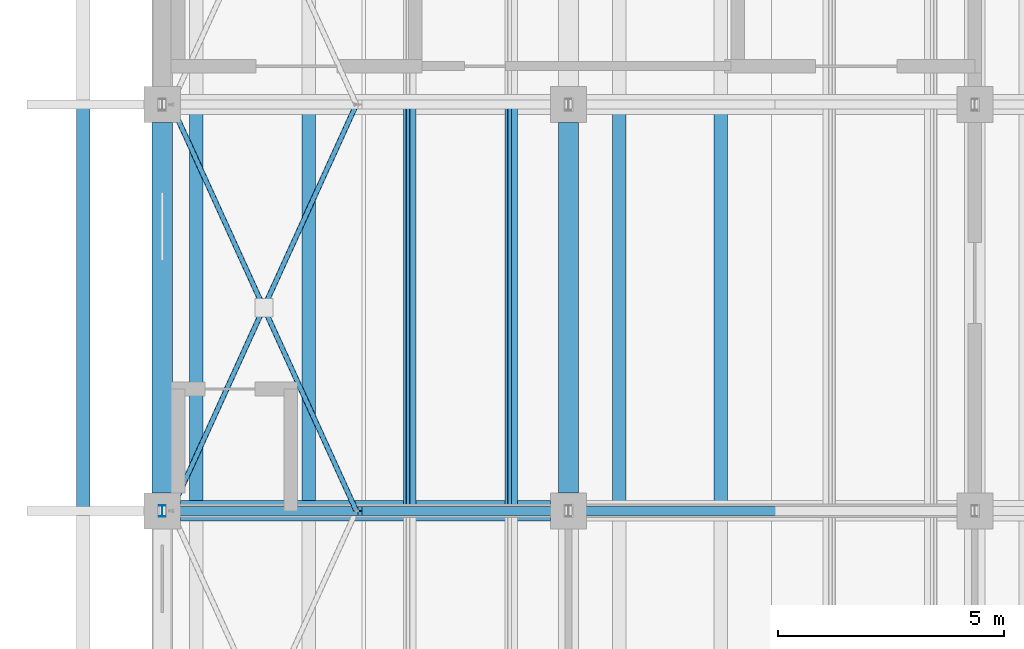
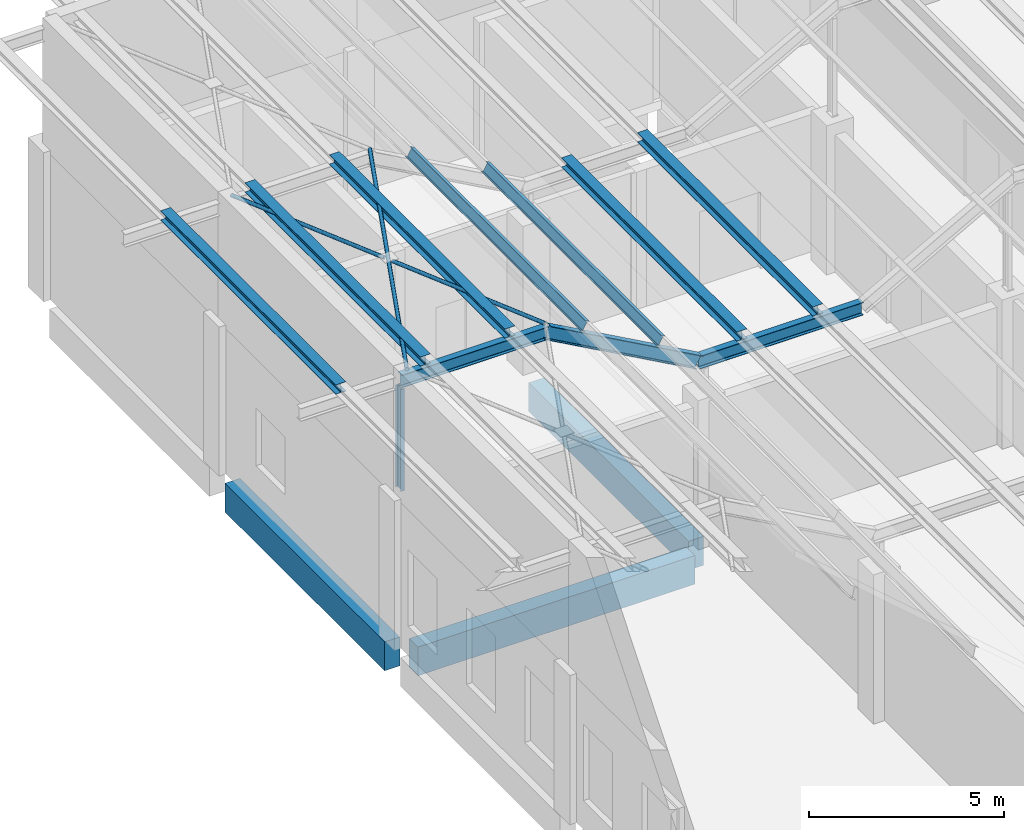
# One storey, part 55 of 437: 14 members, 3 beams.
"""IFC4 building model written with IfcOpenShell, lengths in metres."""

import ifcopenshell
import ifcopenshell.guid

model = None  # the IFC model being written
_history = None  # IfcOwnerHistory: only IFC2X3 demands one
_inside = {}  # id of a spatial element -> (the spatial element, [elements in it])
_under = {}  # id of a project, library or spatial element -> (it, [spatial elements below it])
_declared = {}  # id of a project -> (the project, [libraries it declares])
_typed = {}  # id of a type object -> (the type object, [elements of that type])
_made_of = {}  # id of a material, layer set ... -> (it, [elements and type objects made of it])


def new_model(schema):
    """Start an empty IFC model of exactly this schema.

    Asked for "IFC4X3", IfcOpenShell would pick the latest addendum, in which some entities
    have other attributes; the version numbers below select the first issue.
    IFC2X3 requires an IfcOwnerHistory on every rooted entity: one is made here for all.
    """
    global model, _history
    if schema == "IFC4X3":
        model = ifcopenshell.file(schema_version=(4, 3, 0, 0))
    else:
        model = ifcopenshell.file(schema=schema)
    _inside.clear()
    _under.clear()
    _declared.clear()
    _typed.clear()
    _made_of.clear()
    _history = None
    if model.schema == "IFC2X3":
        org = make("IfcOrganization", Name="unknown")
        user = make(
            "IfcPersonAndOrganization",
            ThePerson=make("IfcPerson", FamilyName="unknown"),
            TheOrganization=org,
        )
        app = make(
            "IfcApplication",
            ApplicationDeveloper=org,
            Version="unknown",
            ApplicationFullName="unknown",
            ApplicationIdentifier="unknown",
        )
        _history = make(
            "IfcOwnerHistory",
            OwningUser=user,
            OwningApplication=app,
            ChangeAction="ADDED",
            CreationDate=0,
        )
    return model


def make(cls, **values):
    """One entity of the class cls with the attributes given. An attribute that is None is left unset."""
    return model.create_entity(
        cls, **{name: value for name, value in values.items() if value is not None}
    )


def rooted(cls, **values):
    """An entity with a GlobalId (a new one), such as an element, a storey or a relation."""
    return make(cls, GlobalId=ifcopenshell.guid.new(), OwnerHistory=_history, **values)


def si_unit(unit_type, name, prefix=None):
    """IfcSIUnit, for example si_unit("LENGTHUNIT", "METRE", prefix="MILLI")."""
    return make("IfcSIUnit", UnitType=unit_type, Prefix=prefix, Name=name)


def assignment(units):
    """IfcUnitAssignment: the units of a project."""
    return None if units is None else make("IfcUnitAssignment", Units=units)


def point(xyz):
    """IfcCartesianPoint."""
    return None if xyz is None else make("IfcCartesianPoint", Coordinates=xyz)


def direction(xyz):
    """IfcDirection."""
    return None if xyz is None else make("IfcDirection", DirectionRatios=xyz)


def frame(location, z_axis=None, x_axis=None):
    """IfcAxis2Placement3D, a coordinate frame: its origin and axes. An axis left out is left unset."""
    return make(
        "IfcAxis2Placement3D",
        Location=point(location),
        Axis=direction(z_axis),
        RefDirection=direction(x_axis),
    )


def frame_2d(location, x_axis=None):
    """IfcAxis2Placement2D, a coordinate frame in the plane: its origin and x axis."""
    return make(
        "IfcAxis2Placement2D", Location=point(location), RefDirection=direction(x_axis)
    )


def origin():
    """The frame at (0, 0, 0) with its axes left unset."""
    return frame((0.0, 0.0, 0.0))


def origin_2d():
    """The frame at (0, 0) in the plane with its x axis left unset."""
    return frame_2d((0.0, 0.0))


def place(relative_to, where):
    """IfcLocalPlacement: puts the frame where relative to a parent placement (None: the world)."""
    return make(
        "IfcLocalPlacement", PlacementRelTo=relative_to, RelativePlacement=where
    )


def context(
    kind, dimensions, precision=None, world=None, true_north=None, identifier=None
):
    """IfcGeometricRepresentationContext, for example the 3D "Model" context."""
    return make(
        "IfcGeometricRepresentationContext",
        ContextIdentifier=identifier,
        ContextType=kind,
        CoordinateSpaceDimension=dimensions,
        Precision=precision,
        WorldCoordinateSystem=world,
        TrueNorth=true_north,
    )


def subcontext(parent, identifier, kind, view, scale=None):
    """IfcGeometricRepresentationSubContext, for example "Body" below "Model"."""
    return make(
        "IfcGeometricRepresentationSubContext",
        ContextIdentifier=identifier,
        ContextType=kind,
        ParentContext=parent,
        TargetScale=scale,
        TargetView=view,
    )


def project(units=None, contexts=None):
    """IfcProject with its units and contexts."""
    return rooted(
        "IfcProject",
        Name="project",
        RepresentationContexts=contexts,
        UnitsInContext=assignment(units),
    )


def spatial(cls, under=None, at=None, **own):
    """A site, building, storey or space (cls), placed at a placement, below another one or the project."""
    s = rooted(cls, ObjectPlacement=at, **own)
    if under is not None:
        _under.setdefault(under.id(), (under, []))[1].append(s)
    return s


def profile(cls, at=None, kind="AREA", **sizes):
    """A parametric profile (cls). Its sizes go by their IFC names, for example OverallWidth=200.0."""
    return make(cls, ProfileType=kind, Position=at, **sizes)


def rectangle(**sizes):
    """IfcRectangleProfileDef."""
    return profile("IfcRectangleProfileDef", **sizes)


def hollow_circle(**sizes):
    """IfcCircleHollowProfileDef."""
    return profile("IfcCircleHollowProfileDef", **sizes)


def i_section(**sizes):
    """IfcIShapeProfileDef."""
    return profile("IfcIShapeProfileDef", **sizes)


def extrude(swept, where, along, depth):
    """IfcExtrudedAreaSolid: the profile swept, set in the frame where, extruded along a direction by depth."""
    return make(
        "IfcExtrudedAreaSolid",
        SweptArea=swept,
        Position=where,
        ExtrudedDirection=direction(along),
        Depth=depth,
    )


def shape(context_of_items, identifier, shape_type, items):
    """IfcShapeRepresentation: the items that make up one representation, for example the "Body"."""
    return make(
        "IfcShapeRepresentation",
        ContextOfItems=context_of_items,
        RepresentationIdentifier=identifier,
        RepresentationType=shape_type,
        Items=items,
    )


def material(Name=None, Category=None):
    """IfcMaterial."""
    return make("IfcMaterial", Name=Name, Category=Category)


def material_profile(
    of_material, cross_section, Name=None, Category=None, Priority=None
):
    """IfcMaterialProfile: a cross section and its material."""
    return make(
        "IfcMaterialProfile",
        Name=Name,
        Material=of_material,
        Profile=cross_section,
        Priority=Priority,
        Category=Category,
    )


def profile_set(profiles, Name=None, composite=None):
    """IfcMaterialProfileSet."""
    return make(
        "IfcMaterialProfileSet",
        Name=Name,
        MaterialProfiles=profiles,
        CompositeProfile=composite,
    )


def made_of(thing, what):
    """Note that an element or type object is made of a material, layer set ...; save() writes the relation."""
    if what is not None:
        _made_of.setdefault(what.id(), (what, []))[1].append(thing)
    return thing


def type_object(cls, material=None, **own):
    """A type object (cls), such as IfcWallType, which elements share."""
    return made_of(rooted(cls, **own), material)


def element(
    cls,
    number,
    at=None,
    inside=None,
    cuts=None,
    type_object=None,
    material=None,
    context=None,
    identifier="Body",
    shape_type=None,
    held_by="IfcProductDefinitionShape",
    body=None,
    shapes=None,
    **own,
):
    """One element of the class cls, such as IfcWall. Its Tag is "e" and its number.

    at: its placement. inside: the storey or other place that contains it. cuts: it is an
    opening in that element (IfcRelVoidsElement). A single representation is given by context,
    identifier, shape_type and body (its items); several are given by shapes. held_by: the class
    of the entity that holds the representations. save() writes the other relations.
    """
    e = rooted(cls, Tag="e%d" % number, ObjectPlacement=at, **own)
    if body is not None:
        shapes = [shape(context, identifier, shape_type, body)]
    if shapes is not None:
        e.Representation = make(held_by, Representations=shapes)
    if inside is not None:
        _inside.setdefault(inside.id(), (inside, []))[1].append(e)
    if cuts is not None:
        rooted(
            "IfcRelVoidsElement", RelatingBuildingElement=cuts, RelatedOpeningElement=e
        )
    if type_object is not None:
        _typed.setdefault(type_object.id(), (type_object, []))[1].append(e)
    return made_of(e, material)


def aggregate(whole, parts):
    """IfcRelAggregates: a whole, such as a stair, and the parts it consists of."""
    return rooted("IfcRelAggregates", RelatingObject=whole, RelatedObjects=parts)


def save(model, path):
    """Write the relations noted so far, then the file.

    IfcRelAggregates (storeys below a building ...), IfcRelContainedInSpatialStructure (elements
    in a storey), IfcRelDefinesByType, IfcRelAssociatesMaterial and IfcRelDeclares: one each for
    every whole, place, type object, material and project.
    """
    for whole, parts in _under.values():
        aggregate(whole, parts)
    for where, things in _inside.values():
        rooted(
            "IfcRelContainedInSpatialStructure",
            RelatedElements=things,
            RelatingStructure=where,
        )
    for kind, things in _typed.values():
        rooted("IfcRelDefinesByType", RelatedObjects=things, RelatingType=kind)
    for what, things in _made_of.values():
        rooted("IfcRelAssociatesMaterial", RelatedObjects=things, RelatingMaterial=what)
    for by, libraries in _declared.values():
        rooted("IfcRelDeclares", RelatingContext=by, RelatedDefinitions=libraries)
    model.write(path)


model = new_model("IFC4")

# Units and contexts
model_context = context("Model", 3, precision=1e-05, world=origin(), true_north=direction((0.0, 1.0)))
body_context = subcontext(model_context, "Body", "Model", "MODEL_VIEW")
ifc_project = project(units=[si_unit("LENGTHUNIT", "METRE"), si_unit("AREAUNIT", "SQUARE_METRE"), si_unit("VOLUMEUNIT", "CUBIC_METRE"), si_unit("PLANEANGLEUNIT", "RADIAN"), si_unit("MASSUNIT", "GRAM", prefix="KILO")], contexts=[model_context])

# Site, building, storey
site_placement = place(None, origin())
site = spatial("IfcSite", under=ifc_project, at=site_placement, CompositionType="ELEMENT")
building_placement = place(site_placement, origin())
building = spatial("IfcBuilding", under=site, at=building_placement, Name="Opaline Strait Convention Centre", CompositionType="ELEMENT")
storey_placement = place(building_placement, frame((0.0, 0.0, 11.5)))
storey = spatial("IfcBuildingStorey", under=building, at=storey_placement, Name="L02", CompositionType="ELEMENT", Elevation=11.5)

# Members
ifc_material_1 = material(Name="Steel Q355B", Category="steel")
ifc_material_profile_1 = material_profile(ifc_material_1, i_section(OverallWidth=0.300048828125, OverallDepth=0.300048828125, WebThickness=0.010009765625, FlangeThickness=0.014892578125, FilletRadius=0.012939453125, at=origin_2d()), Name="HW 300x300x10x15")
ifc_profile_set_1 = profile_set([ifc_material_profile_1], Name="Steel Q355B")
member_type_1 = type_object("IfcMemberType", Name="Crest purlin HW 300x300x10x15", PredefinedType="PURLIN", material=ifc_profile_set_1)
for number, where, z_axis, x_axis, name in (
    (1, (7.25, 81.0, 8.449951171875), (0.0, 1.0, 0.0), (-1.0, 0.0, 0.0), "RU1 purlin facet 1 line 1"),
    (2, (9.75, 81.0, 8.449951171875), (0.0, 1.0, 0.0), (-1.0, 0.0, 0.0), "RU1 purlin facet 1 line 2"),
    (3, (12.25, 81.0, 8.449951171875), (0.0, 1.0, 0.0), (-1.0, 0.0, 0.0), "RU1 purlin facet 1 line 3"),
    (4, (19.125, 81.0, 5.949951171875), (0.0, 1.0, 0.0), (-1.0, 0.0, 0.0), "RU1 purlin facet 3 line 1"),
    (5, (21.375, 81.0, 5.949951171875), (0.0, 1.0, 0.0), (-1.0, 0.0, 0.0), "RU1 purlin facet 3 line 2"),
):
    element("IfcMember", number, at=place(storey_placement, frame(where, z_axis=z_axis, x_axis=x_axis)), inside=storey, type_object=member_type_1, Name=name, PredefinedType="PURLIN", context=body_context, shape_type="SweptSolid", body=[
        extrude(i_section(OverallWidth=0.300048828125, OverallDepth=0.300048828125, WebThickness=0.010009765625, FlangeThickness=0.014892578125, FilletRadius=0.012939453125, at=origin_2d()), origin(), (0.0, 0.0, 1.0), 9.0),
    ])

# Beams
ifc_material_2 = material(Name="Concrete C35", Category="concrete")
ifc_material_profile_2 = material_profile(ifc_material_2, rectangle(XDim=0.449951171875, YDim=0.89990234375, at=origin_2d()), Name="RC 450x900")
ifc_profile_set_2 = profile_set([ifc_material_profile_2], Name="Concrete C35")
beam_type = type_object("IfcBeamType", Name="RC beam 450x900 C35", PredefinedType="BEAM", material=ifc_profile_set_2)
for number, where, z_axis, x_axis, name in (
    (6, (9.39990234375, 81.0, -0.72998046875), (1.0, 0.0, 0.0), (0.0, 1.0, 0.0), "XB1 L02 9/81-18/81"),
    (7, (9.0, 81.39990234375, -0.72998046875), (0.0, 1.0, 0.0), (-1.0, 0.0, 0.0), "XB1 L02 9/81-9/90"),
    (8, (18.0, 81.39990234375, -0.72998046875), (0.0, 1.0, 0.0), (-1.0, 0.0, 0.0), "XB1 L02 18/81-18/90"),
):
    element("IfcBeam", number, at=place(storey_placement, frame(where, z_axis=z_axis, x_axis=x_axis)), inside=storey, type_object=beam_type, Name=name, PredefinedType="BEAM", context=body_context, shape_type="SweptSolid", body=[
        extrude(rectangle(XDim=0.449951171875, YDim=0.89990234375, at=origin_2d()), origin(), (0.0, 0.0, 1.0), 8.2001953125),
    ])

# Members
ifc_material_profile_3 = material_profile(ifc_material_1, hollow_circle(Radius=0.056884765625, WallThickness=0.006103515625, at=origin_2d()), Name="CHS 114x6")
ifc_profile_set_3 = profile_set([ifc_material_profile_3], Name="Steel Q355B")
member_type_2 = type_object("IfcMemberType", Name="Roof bracing CHS 114x6", PredefinedType="BRACE", material=ifc_profile_set_3)
member_1_placement = place(storey_placement, frame((9.199951171875, 81.0, 8.35693359375), z_axis=(0.414572789354, 0.910016154981, 0.0), x_axis=(-0.910016154981, 0.414572789354, 0.0)))
element("IfcMember", 9, at=member_1_placement, inside=storey, type_object=member_type_2, Name="RX1 roof brace bay 9 at 9", PredefinedType="BRACE", context=body_context, shape_type="SweptSolid", body=[
    extrude(hollow_circle(Radius=0.056884765625, WallThickness=0.006103515625, at=origin_2d()), origin(), (0.0, 0.0, 1.0), 9.889892578125),
])
for number, where, z_axis, x_axis, name in (
    (10, (13.300048828125, 81.0, 8.35693359375), (-0.414570207506, 0.91001733118, 0.0), (-0.91001733118, -0.414570207506, 0.0), "RX1 roof brace bay 9 at 9"),
    (11, (11.197265625, 85.61572265625, 8.35693359375), (-0.414570207506, 0.91001733118, 0.0), (-0.91001733118, -0.414570207506, 0.0), "RX1 roof brace bay 9 at 9"),
):
    element("IfcMember", number, at=place(storey_placement, frame(where, z_axis=z_axis, x_axis=x_axis)), inside=storey, type_object=member_type_2, Name=name, PredefinedType="BRACE", context=body_context, shape_type="SweptSolid", body=[
        extrude(hollow_circle(Radius=0.056884765625, WallThickness=0.006103515625, at=origin_2d()), origin(), (0.0, 0.0, 1.0), 4.81787109375),
    ])
ifc_material_profile_4 = material_profile(ifc_material_1, i_section(OverallWidth=0.125, OverallDepth=0.25, WebThickness=0.006103515625, FlangeThickness=0.009033203125, FilletRadius=0.008056640625, at=origin_2d()), Name="HN 250x125x6x9")
ifc_profile_set_4 = profile_set([ifc_material_profile_4], Name="Steel Q355B")
member_type_3 = type_object("IfcMemberType", Name="Roof post HN 250x125x6x9", PredefinedType="STRUT", material=ifc_profile_set_4)
member_2_placement = place(storey_placement, frame((9.0, 81.0, 4.68994140625), z_axis=(0.0, 0.0, 1.0), x_axis=(1.0, 0.0, 0.0)))
element("IfcMember", 12, at=member_2_placement, inside=storey, type_object=member_type_3, Name="RP1 roof post at 9/81", PredefinedType="STRUT", context=body_context, shape_type="SweptSolid", body=[
    extrude(i_section(OverallWidth=0.125, OverallDepth=0.25, WebThickness=0.006103515625, FlangeThickness=0.009033203125, FilletRadius=0.008056640625, at=origin_2d()), origin(), (0.0, 0.0, 1.0), 3.195068359375),
])
ifc_material_profile_5 = material_profile(ifc_material_1, i_section(OverallWidth=0.14990234375, OverallDepth=0.300048828125, WebThickness=0.006591796875, FlangeThickness=0.009033203125, FilletRadius=0.012939453125, at=origin_2d()), Name="HN 300x150x6.5x9")
ifc_profile_set_5 = profile_set([ifc_material_profile_5], Name="Steel Q355B")
member_type_4 = type_object("IfcMemberType", Name="Roof purlin HN 300x150x6.5x9", PredefinedType="PURLIN", material=ifc_profile_set_5)
for number, where, z_axis, x_axis, name in (
    (13, (14.479248046875, 81.0, 7.86279296875), (0.0, 1.0, 0.0), (-0.874157310866, 0.0, 0.485642868639), "RU1 purlin facet 2 line 1"),
    (14, (16.729248046875, 81.0, 6.61279296875), (0.0, 1.0, 0.0), (-0.874157310866, 0.0, 0.485642868639), "RU1 purlin facet 2 line 2"),
):
    element("IfcMember", number, at=place(storey_placement, frame(where, z_axis=z_axis, x_axis=x_axis)), inside=storey, type_object=member_type_4, Name=name, PredefinedType="PURLIN", context=body_context, shape_type="SweptSolid", body=[
        extrude(i_section(OverallWidth=0.14990234375, OverallDepth=0.300048828125, WebThickness=0.006591796875, FlangeThickness=0.009033203125, FilletRadius=0.012939453125, at=origin_2d()), origin(), (0.0, 0.0, 1.0), 9.0),
    ])
ifc_material_profile_6 = material_profile(ifc_material_1, i_section(OverallWidth=0.199951171875, OverallDepth=0.39990234375, WebThickness=0.008056640625, FlangeThickness=0.012939453125, FilletRadius=0.012939453125, at=origin_2d()), Name="HN 400x200x8x13")
ifc_profile_set_6 = profile_set([ifc_material_profile_6], Name="Steel Q355B")
member_type_5 = type_object("IfcMemberType", Name="Roof rafter HN 400x200x8x13", PredefinedType="RAFTER", material=ifc_profile_set_6)
member_3_placement = place(storey_placement, frame((9.0, 81.0, 8.10009765625), z_axis=(1.0, 0.0, 0.0), x_axis=(0.0, 1.0, 0.0)))
element("IfcMember", 15, at=member_3_placement, inside=storey, type_object=member_type_5, Name="RR1 rafter line 9 facet 2", PredefinedType="RAFTER", context=body_context, shape_type="SweptSolid", body=[
    extrude(i_section(OverallWidth=0.199951171875, OverallDepth=0.39990234375, WebThickness=0.008056640625, FlangeThickness=0.012939453125, FilletRadius=0.012939453125, at=origin_2d()), origin(), (0.0, 0.0, 1.0), 4.33154296875),
])
member_4_placement = place(storey_placement, frame((13.33154296875, 81.0, 8.10009765625), z_axis=(0.874157276122, 0.0, -0.485642931179), x_axis=(0.0, 1.0, 0.0)))
element("IfcMember", 16, at=member_4_placement, inside=storey, type_object=member_type_5, Name="RR1 rafter line 9 facet 3", PredefinedType="RAFTER", context=body_context, shape_type="SweptSolid", body=[
    extrude(i_section(OverallWidth=0.199951171875, OverallDepth=0.39990234375, WebThickness=0.008056640625, FlangeThickness=0.012939453125, FilletRadius=0.012939453125, at=origin_2d()), origin(), (0.0, 0.0, 1.0), 5.147705078125),
])
member_5_placement = place(storey_placement, frame((17.83154296875, 81.0, 5.60009765625), z_axis=(1.0, 0.0, 0.0), x_axis=(0.0, 1.0, 0.0)))
element("IfcMember", 17, at=member_5_placement, inside=storey, type_object=member_type_5, Name="RR1 rafter line 9 facet 4", PredefinedType="RAFTER", context=body_context, shape_type="SweptSolid", body=[
    extrude(i_section(OverallWidth=0.199951171875, OverallDepth=0.39990234375, WebThickness=0.008056640625, FlangeThickness=0.012939453125, FilletRadius=0.012939453125, at=origin_2d()), origin(), (0.0, 0.0, 1.0), 4.8369140625),
])

save(model, "model.ifc")
